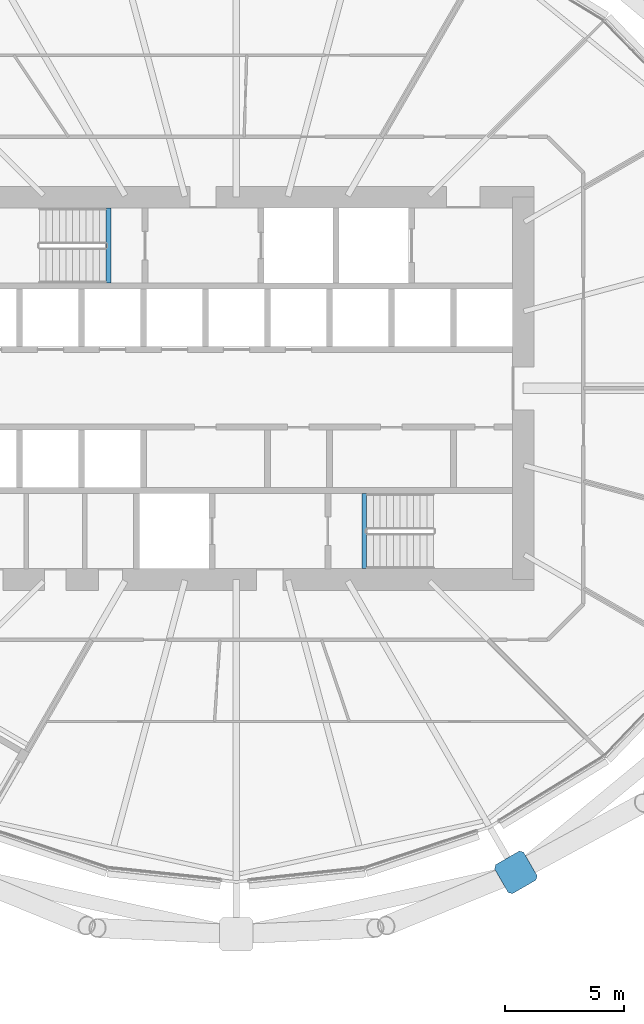
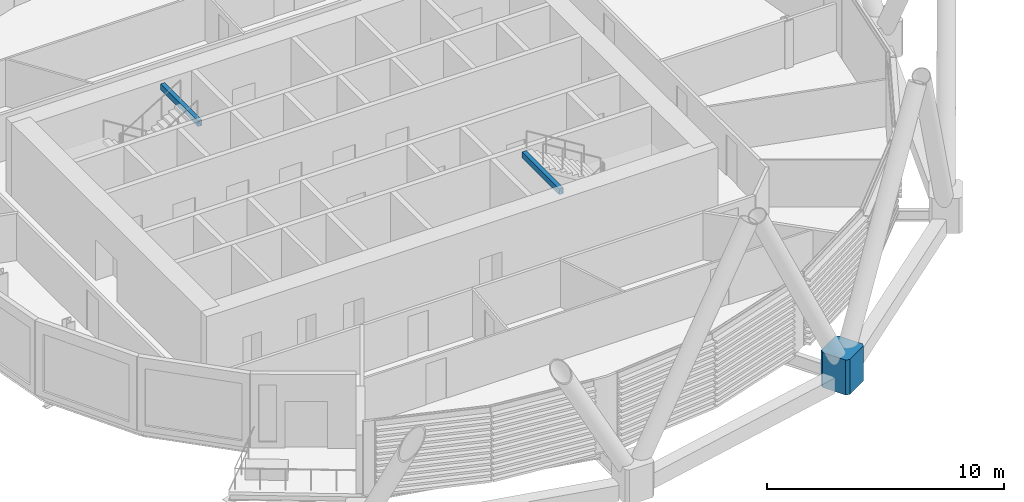
# One storey, part 6 of 40: 2 beams, 1 member.
"""IFC4 building model written with IfcOpenShell, lengths in metres."""

from ifc_helpers import new_model, si_unit, direction, frame, origin, origin_2d, place, context, subcontext, project, spatial, polyline, hollow_rectangle, outline, extrude, material, material_profile, profile_set, type_object, element, save


model = new_model("IFC4")

# Units and contexts
model_context = context("Model", 3, precision=1e-05, world=origin(), true_north=direction((0.0, 1.0)))
body_context = subcontext(model_context, "Body", "Model", "MODEL_VIEW")
ifc_project = project(units=[si_unit("LENGTHUNIT", "METRE"), si_unit("AREAUNIT", "SQUARE_METRE"), si_unit("VOLUMEUNIT", "CUBIC_METRE"), si_unit("PLANEANGLEUNIT", "RADIAN"), si_unit("MASSUNIT", "GRAM", prefix="KILO")], contexts=[model_context])

# Site, building, storey
site_placement = place(None, origin())
site = spatial("IfcSite", under=ifc_project, at=site_placement, CompositionType="ELEMENT")
building_placement = place(site_placement, origin())
building = spatial("IfcBuilding", under=site, at=building_placement, Name="Rimbun Link Towers", CompositionType="ELEMENT")
storey_placement = place(building_placement, frame((0.0, 0.0, 52.800048828125)))
storey = spatial("IfcBuildingStorey", under=building, at=storey_placement, Name="L12", CompositionType="ELEMENT", Elevation=52.800048828125)

# Member
ifc_material_1 = material(Name="Cast steel G20Mn5+QT, Rp0.2 300 MPa", Category="steel")
ifc_material_profile_1 = material_profile(ifc_material_1, outline(polyline([(0.699951171875, -0.570068359375), (0.699951171875, 0.570068359375), (0.570068359375, 0.699951171875), (-0.570068359375, 0.699951171875), (-0.699951171875, 0.570068359375), (-0.699951171875, -0.570068359375), (-0.570068359375, -0.699951171875), (0.570068359375, -0.699951171875), (0.699951171875, -0.570068359375)])), Name="NODE 1400x1400")
ifc_profile_set_1 = profile_set([ifc_material_profile_1], Name="Cast steel G20Mn5+QT, Rp0.2 300 MPa")
member_type = type_object("IfcMemberType", Name="Diagrid node cast 1400", PredefinedType="USERDEFINED", material=ifc_profile_set_1)
member_placement = place(storey_placement, frame((-20.053955078125, -20.258056640625, -0.900146484375), z_axis=(0.0, 0.0, 1.0), x_axis=(0.5, -0.866025403784, 0.0)))
element("IfcMember", 1, at=member_placement, inside=storey, type_object=member_type, Name="Diagrid node L12 20", ObjectType="Diagrid node", PredefinedType="USERDEFINED", context=body_context, shape_type="SweptSolid", body=[
    extrude(outline(polyline([(0.699951171875, -0.570068359375), (0.699951171875, 0.570068359375), (0.570068359375, 0.699951171875), (-0.570068359375, 0.699951171875), (-0.699951171875, 0.570068359375), (-0.699951171875, -0.570068359375), (-0.570068359375, -0.699951171875), (0.570068359375, -0.699951171875), (0.699951171875, -0.570068359375)])), origin(), (0.0, 0.0, 1.0), 1.800048828125),
])

# Beams
ifc_material_2 = material(Name="Steel S355J2", Category="steel")
ifc_material_profile_2 = material_profile(ifc_material_2, hollow_rectangle(XDim=0.199951171875, YDim=0.300048828125, WallThickness=0.011962890625, at=origin_2d()), Name="BOX 300x200x12")
ifc_profile_set_2 = profile_set([ifc_material_profile_2], Name="Steel S355J2")
beam_type = type_object("IfcBeamType", Name="Stair trimmer beam BOX 300x200x12", PredefinedType="BEAM", material=ifc_profile_set_2)
for number, where, z_axis, x_axis, name in (
    (2, (-37.10009765625, 7.550048828125, 3.489990234375), (0.0, -1.0, 0.0), (1.0, 0.0, 0.0), "L12 ST1 stair beam 1"),
    (3, (-26.39990234375, -7.550048828125, 3.489990234375), (0.0, 1.0, 0.0), (-1.0, 0.0, 0.0), "L12 ST2 stair beam 1"),
):
    element("IfcBeam", number, at=place(storey_placement, frame(where, z_axis=z_axis, x_axis=x_axis)), inside=storey, type_object=beam_type, Name=name, PredefinedType="BEAM", context=body_context, shape_type="SweptSolid", body=[
        extrude(hollow_rectangle(XDim=0.199951171875, YDim=0.300048828125, WallThickness=0.011962890625, at=origin_2d()), origin(), (0.0, 0.0, 1.0), 3.150146484375),
    ])

save(model, "model.ifc")
